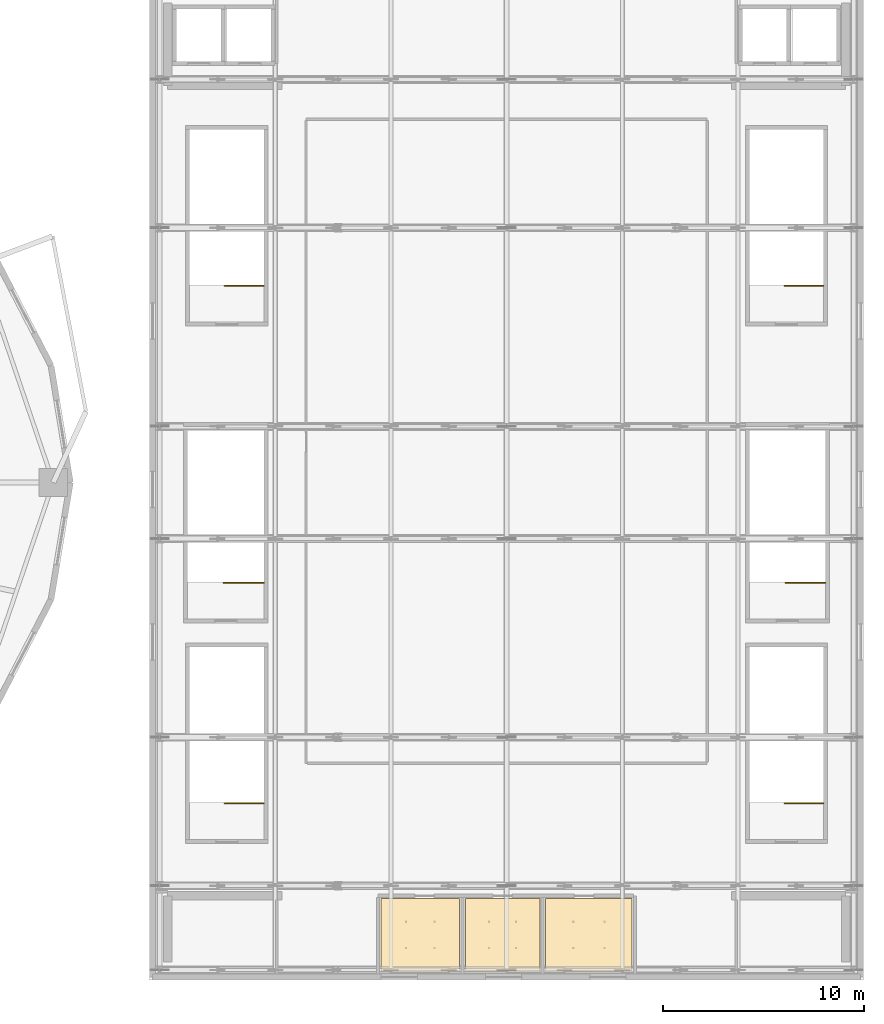
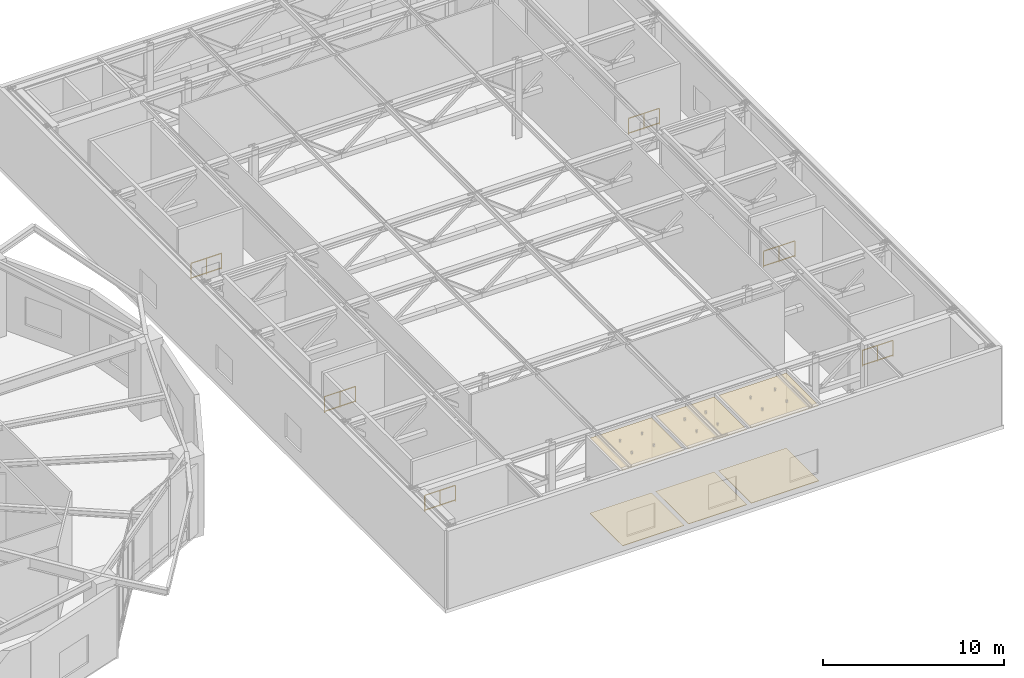
# One storey, part 29 of 29: 6 coverings, 6 railings.
"""IFC4 building model written with IfcOpenShell, lengths in metres."""

from ifc_helpers import new_model, si_unit, direction, frame, origin, origin_2d, place, context, subcontext, project, spatial, polyline, rectangle, outline, extrude, material, layer, layer_set, type_object, element, save


model = new_model("IFC4")

# Units and contexts
model_context = context("Model", 3, precision=1e-05, world=origin(), true_north=direction((0.0, 1.0)))
body_context = subcontext(model_context, "Body", "Model", "MODEL_VIEW")
ifc_project = project(units=[si_unit("LENGTHUNIT", "METRE"), si_unit("AREAUNIT", "SQUARE_METRE"), si_unit("VOLUMEUNIT", "CUBIC_METRE"), si_unit("PLANEANGLEUNIT", "RADIAN"), si_unit("MASSUNIT", "GRAM", prefix="KILO")], contexts=[model_context])

# Site, building, storey
site_placement = place(None, origin())
site = spatial("IfcSite", under=ifc_project, at=site_placement, CompositionType="ELEMENT")
building_placement = place(site_placement, origin())
building = spatial("IfcBuilding", under=site, at=building_placement, Name="Kolvaren Gate Tower and Convention Centre", CompositionType="ELEMENT")
storey_placement = place(building_placement, frame((0.0, 0.0, 21.0)))
storey = spatial("IfcBuildingStorey", under=building, at=storey_placement, Name="L04", CompositionType="ELEMENT", Elevation=21.0)

# Coverings
ifc_material_1 = material(Name="Perforated Mineral-Fibre Acoustic Ceiling Tile 18 mm", Category="gypsum")
ifc_layer_1 = layer(ifc_material_1, 0.01806640625)
ifc_layer_set_1 = layer_set([ifc_layer_1], Name="Perforated Mineral-Fibre Acoustic Ceiling Tile 18 mm")
covering_type_1 = type_object("IfcCoveringType", Name="ARCH-COV-CEIL-18", PredefinedType="CEILING", material=ifc_layer_set_1)
covering_1_placement = place(storey_placement, frame((0.0, 0.0, 5.070068359375)))
element("IfcCovering", 1, at=covering_1_placement, inside=storey, type_object=covering_type_1, Name="Convention L04 Delegate Male Restroom Acoustic Suspended Ceiling", PredefinedType="CEILING", context=body_context, shape_type="SweptSolid", body=[
    extrude(outline(polyline([(73.739990234375, 6.260009765625), (77.659912109375, 6.260009765625), (77.659912109375, 2.639892578125), (73.739990234375, 2.639892578125), (73.739990234375, 6.260009765625)])), origin(), (0.0, 0.0, 1.0), 0.017822265625),
])
covering_2_placement = place(storey_placement, frame((0.0, 0.0, 5.070068359375)))
element("IfcCovering", 2, at=covering_2_placement, inside=storey, type_object=covering_type_1, Name="Convention L04 Accessible Restroom Acoustic Suspended Ceiling", PredefinedType="CEILING", context=body_context, shape_type="SweptSolid", body=[
    extrude(outline(polyline([(77.93994140625, 6.260009765625), (81.659912109375, 6.260009765625), (81.659912109375, 2.639892578125), (77.93994140625, 2.639892578125), (77.93994140625, 6.260009765625)])), origin(), (0.0, 0.0, 1.0), 0.017822265625),
])
covering_3_placement = place(storey_placement, frame((0.0, 0.0, 5.070068359375)))
element("IfcCovering", 3, at=covering_3_placement, inside=storey, type_object=covering_type_1, Name="Convention L04 Delegate Female Restroom Acoustic Suspended Ceiling", PredefinedType="CEILING", context=body_context, shape_type="SweptSolid", body=[
    extrude(outline(polyline([(81.93994140625, 6.260009765625), (86.260009765625, 6.260009765625), (86.260009765625, 2.639892578125), (81.93994140625, 2.639892578125), (81.93994140625, 6.260009765625)])), origin(), (0.0, 0.0, 1.0), 0.017822265625),
])
ifc_material_2 = material(Name="Honed Sabana Limestone Terrazzo Flooring 30 mm", Category="masonry")
ifc_layer_2 = layer(ifc_material_2, 0.030029296875)
ifc_layer_set_2 = layer_set([ifc_layer_2], Name="Honed Sabana Limestone Terrazzo Flooring 30 mm")
covering_type_2 = type_object("IfcCoveringType", Name="ARCH-COV-FLR-30", PredefinedType="FLOORING", material=ifc_layer_set_2)
covering_4_placement = place(storey_placement, origin())
element("IfcCovering", 4, at=covering_4_placement, inside=storey, type_object=covering_type_2, Name="Convention L04 Delegate Male Restroom Interior Finish Flooring", PredefinedType="FLOORING", context=body_context, shape_type="SweptSolid", body=[
    extrude(outline(polyline([(73.739990234375, 6.260009765625), (77.659912109375, 6.260009765625), (77.659912109375, 2.639892578125), (73.739990234375, 2.639892578125), (73.739990234375, 6.260009765625)])), origin(), (0.0, 0.0, 1.0), 0.030029296875),
])
covering_5_placement = place(storey_placement, origin())
element("IfcCovering", 5, at=covering_5_placement, inside=storey, type_object=covering_type_2, Name="Convention L04 Accessible Restroom Interior Finish Flooring", PredefinedType="FLOORING", context=body_context, shape_type="SweptSolid", body=[
    extrude(outline(polyline([(77.93994140625, 6.260009765625), (81.659912109375, 6.260009765625), (81.659912109375, 2.639892578125), (77.93994140625, 2.639892578125), (77.93994140625, 6.260009765625)])), origin(), (0.0, 0.0, 1.0), 0.030029296875),
])
covering_6_placement = place(storey_placement, origin())
element("IfcCovering", 6, at=covering_6_placement, inside=storey, type_object=covering_type_2, Name="Convention L04 Delegate Female Restroom Interior Finish Flooring", PredefinedType="FLOORING", context=body_context, shape_type="SweptSolid", body=[
    extrude(outline(polyline([(81.93994140625, 6.260009765625), (86.260009765625, 6.260009765625), (86.260009765625, 2.639892578125), (81.93994140625, 2.639892578125), (81.93994140625, 6.260009765625)])), origin(), (0.0, 0.0, 1.0), 0.030029296875),
])

# Railings
ifc_material_3 = material(Name="Brushed Stainless Steel Grade 316L", Category="steel")
railing_type = type_object("IfcRailingType", Name="ARCH-RL-GUARD-1150", PredefinedType="GUARDRAIL", material=ifc_material_3)
for number, where, name in (
    (7, (67.89990234375, 36.800048828125, 0.0), "L04 ST-C1 top well guard 1"),
    (8, (67.89990234375, 11.0, 0.0), "L04 ST-C2 top well guard 1"),
    (9, (95.800048828125, 36.800048828125, 0.0), "L04 ST-C3 top well guard 1"),
    (10, (95.800048828125, 11.0, 0.0), "L04 ST-C4 top well guard 1"),
):
    element("IfcRailing", number, at=place(storey_placement, frame(where)), inside=storey, type_object=railing_type, Name=name, PredefinedType="GUARDRAIL", context=body_context, shape_type="SweptSolid", body=[
        extrude(rectangle(XDim=0.048095703125, YDim=0.048095703125, at=origin_2d()), frame((0.0, 0.0, 1.076171875), z_axis=(-1.0, 0.0, 0.0), x_axis=(0.0, -1.0, 0.0)), (0.0, 0.0, 1.0), 1.949951171875),
        extrude(rectangle(XDim=0.048095703125, YDim=0.048095703125, at=origin_2d()), frame((0.0, 0.0, 0.083984375), z_axis=(-1.0, 0.0, 0.0), x_axis=(0.0, -1.0, 0.0)), (0.0, 0.0, 1.0), 1.949951171875),
        extrude(rectangle(XDim=0.0419921875, YDim=0.0419921875, at=origin_2d()), origin(), (0.0, 0.0, 1.0), 1.050048828125),
        extrude(rectangle(XDim=0.0419921875, YDim=0.0419921875, at=origin_2d()), frame((-1.949951171875, 0.0, 0.0)), (0.0, 0.0, 1.0), 1.050048828125),
        extrude(rectangle(XDim=0.0419921875, YDim=0.0419921875, at=origin_2d()), frame((-0.97509765625, 0.0, 0.0)), (0.0, 0.0, 1.0), 1.050048828125),
    ])
for number, where, name in (
    (11, (67.89990234375, 22.0, 0.0), "L04 ST-C5 top well guard 1"),
    (12, (95.89990234375, 22.0, 0.0), "L04 ST-C6 top well guard 1"),
):
    element("IfcRailing", number, at=place(storey_placement, frame(where)), inside=storey, type_object=railing_type, Name=name, PredefinedType="GUARDRAIL", context=body_context, shape_type="SweptSolid", body=[
        extrude(rectangle(XDim=0.048095703125, YDim=0.048095703125, at=origin_2d()), frame((0.0, 0.0, 1.076171875), z_axis=(-1.0, 0.0, 0.0), x_axis=(0.0, -1.0, 0.0)), (0.0, 0.0, 1.0), 2.0),
        extrude(rectangle(XDim=0.048095703125, YDim=0.048095703125, at=origin_2d()), frame((0.0, 0.0, 0.083984375), z_axis=(-1.0, 0.0, 0.0), x_axis=(0.0, -1.0, 0.0)), (0.0, 0.0, 1.0), 2.0),
        extrude(rectangle(XDim=0.0419921875, YDim=0.0419921875, at=origin_2d()), origin(), (0.0, 0.0, 1.0), 1.050048828125),
        extrude(rectangle(XDim=0.0419921875, YDim=0.0419921875, at=origin_2d()), frame((-2.0, 0.0, 0.0)), (0.0, 0.0, 1.0), 1.050048828125),
        extrude(rectangle(XDim=0.0419921875, YDim=0.0419921875, at=origin_2d()), frame((-1.0, 0.0, 0.0)), (0.0, 0.0, 1.0), 1.050048828125),
    ])

save(model, "model.ifc")
